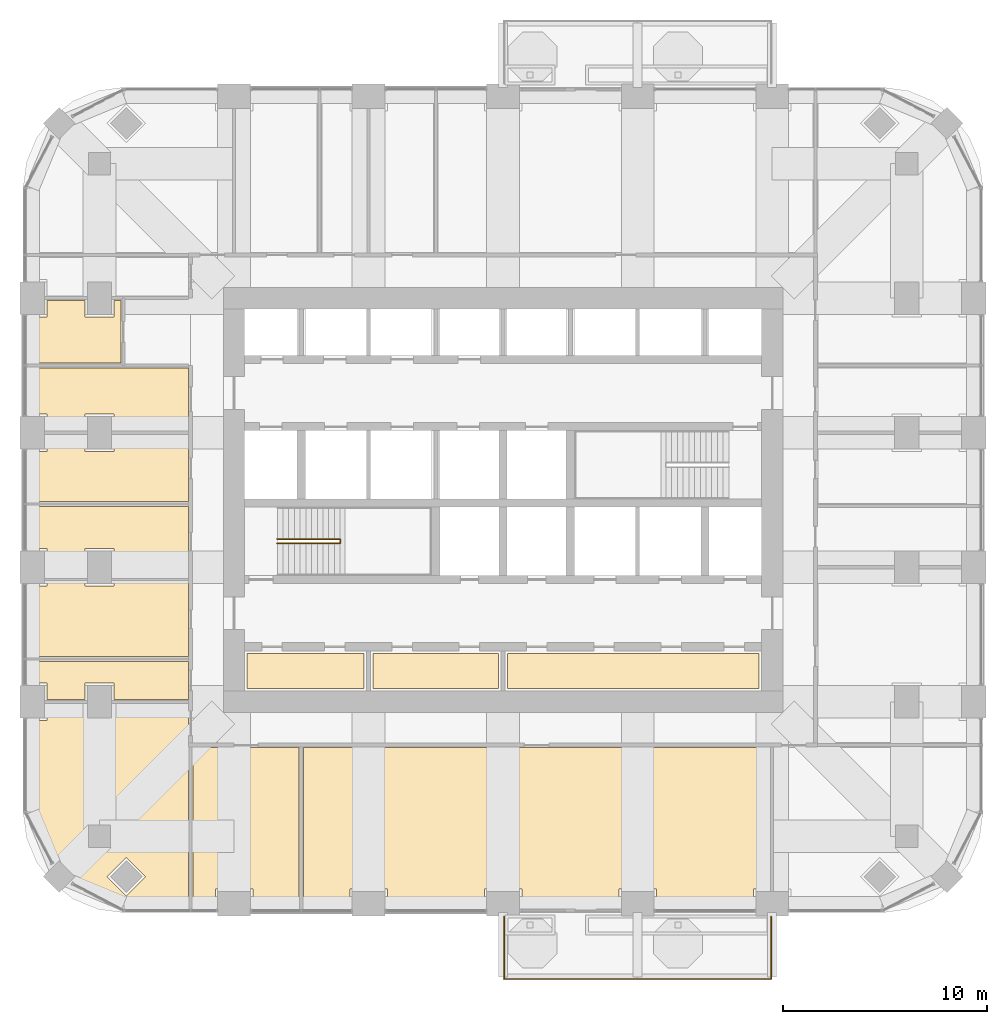
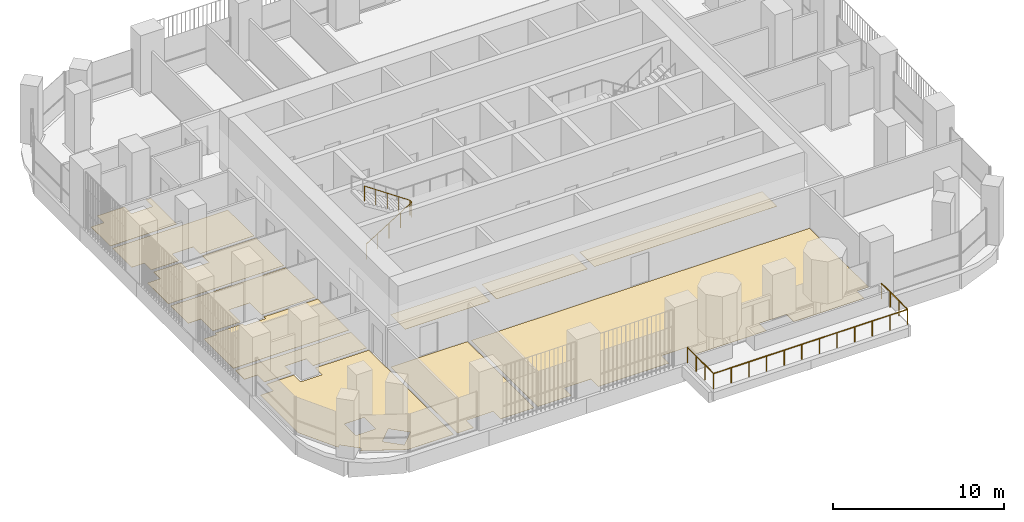
# One storey, part 16 of 19: 12 coverings, 2 railings.
"""IFC4 building model written with IfcOpenShell, lengths in metres."""

from ifc_helpers import new_model, si_unit, direction, frame, origin, place, context, subcontext, project, spatial, polyline, outline, extrude, material, layer, layer_set, type_object, element, save


model = new_model("IFC4")

# Units and contexts
model_context = context("Model", 3, precision=1e-05, world=origin(), true_north=direction((0.0, 1.0)))
body_context = subcontext(model_context, "Body", "Model", "MODEL_VIEW")
ifc_project = project(units=[si_unit("LENGTHUNIT", "METRE"), si_unit("AREAUNIT", "SQUARE_METRE"), si_unit("VOLUMEUNIT", "CUBIC_METRE"), si_unit("PLANEANGLEUNIT", "RADIAN"), si_unit("MASSUNIT", "GRAM", prefix="KILO")], contexts=[model_context])

# Site, building, storey
site_placement = place(None, origin())
site = spatial("IfcSite", under=ifc_project, at=site_placement, CompositionType="ELEMENT")
building_placement = place(site_placement, origin())
building = spatial("IfcBuilding", under=site, at=building_placement, Name="Cobogo Forest Laboratory Tower", CompositionType="ELEMENT")
storey_placement = place(building_placement, frame((0.0, 0.0, 206.10009765625)))
storey = spatial("IfcBuildingStorey", under=building, at=storey_placement, Name="L47", CompositionType="ELEMENT", Elevation=206.10009765625)

# Railing
ifc_material_1 = material(Name="Laminated glass balustrade", Category="glass")
railing_type_1 = type_object("IfcRailingType", Name="BG1 glass balustrade 1100", PredefinedType="GUARDRAIL", material=ifc_material_1)
railing_1_placement = place(storey_placement, frame((26.449951171875, 2.64990234375, 0.0)))
element("IfcRailing", 1, at=railing_1_placement, inside=storey, type_object=railing_type_1, Name="Balcony balustrade BAL-S1 L47", PredefinedType="GUARDRAIL", context=body_context, shape_type="SweptSolid", body=[
    extrude(outline(polyline([(0.022216796875, 0.00927734375), (0.00927734375, 0.022216796875), (-0.00927734375, 0.022216796875), (-0.022216796875, 0.00927734375), (-0.022216796875, -0.00927734375), (-0.00927734375, -0.022216796875), (0.00927734375, -0.022216796875), (0.022216796875, -0.00927734375), (0.022216796875, 0.00927734375)])), frame((0.0, 0.0, 1.077880859375), z_axis=(0.0, -1.0, 0.0), x_axis=(1.0, 0.0, 0.0)), (0.0, 0.0, 1.0), 3.0498046875),
    extrude(outline(polyline([(0.022216796875, 0.00927734375), (0.00927734375, 0.022216796875), (-0.00927734375, 0.022216796875), (-0.022216796875, 0.00927734375), (-0.022216796875, -0.00927734375), (-0.00927734375, -0.022216796875), (0.00927734375, -0.022216796875), (0.022216796875, -0.00927734375), (0.022216796875, 0.00927734375)])), frame((0.0, -3.0498046875, 1.077880859375), z_axis=(1.0, 0.0, 0.0), x_axis=(0.0, 1.0, 0.0)), (0.0, 0.0, 1.0), 13.10009765625),
    extrude(outline(polyline([(0.022216796875, 0.00927734375), (0.00927734375, 0.022216796875), (-0.00927734375, 0.022216796875), (-0.022216796875, 0.00927734375), (-0.022216796875, -0.00927734375), (-0.00927734375, -0.022216796875), (0.00927734375, -0.022216796875), (0.022216796875, -0.00927734375), (0.022216796875, 0.00927734375)])), frame((13.10009765625, -3.0498046875, 1.077880859375), z_axis=(0.0, 1.0, 0.0), x_axis=(-1.0, 0.0, 0.0)), (0.0, 0.0, 1.0), 3.0498046875),
    extrude(outline(polyline([(0.019287109375, 0.008056640625), (0.008056640625, 0.019287109375), (-0.008056640625, 0.019287109375), (-0.019287109375, 0.008056640625), (-0.019287109375, -0.008056640625), (-0.008056640625, -0.019287109375), (0.008056640625, -0.019287109375), (0.019287109375, -0.008056640625), (0.019287109375, 0.008056640625)])), origin(), (0.0, 0.0, 1.0), 1.077880859375),
    extrude(outline(polyline([(0.019287109375, 0.008056640625), (0.008056640625, 0.019287109375), (-0.008056640625, 0.019287109375), (-0.019287109375, 0.008056640625), (-0.019287109375, -0.008056640625), (-0.008056640625, -0.019287109375), (0.008056640625, -0.019287109375), (0.019287109375, -0.008056640625), (0.019287109375, 0.008056640625)])), frame((0.0, -1.0166015625, 0.0)), (0.0, 0.0, 1.0), 1.077880859375),
    extrude(outline(polyline([(0.019287109375, 0.008056640625), (0.008056640625, 0.019287109375), (-0.008056640625, 0.019287109375), (-0.019287109375, 0.008056640625), (-0.019287109375, -0.008056640625), (-0.008056640625, -0.019287109375), (0.008056640625, -0.019287109375), (0.019287109375, -0.008056640625), (0.019287109375, 0.008056640625)])), frame((0.0, -2.033203125, 0.0)), (0.0, 0.0, 1.0), 1.077880859375),
    extrude(outline(polyline([(0.019287109375, 0.008056640625), (0.008056640625, 0.019287109375), (-0.008056640625, 0.019287109375), (-0.019287109375, 0.008056640625), (-0.019287109375, -0.008056640625), (-0.008056640625, -0.019287109375), (0.008056640625, -0.019287109375), (0.019287109375, -0.008056640625), (0.019287109375, 0.008056640625)])), frame((0.0, -3.0498046875, 0.0)), (0.0, 0.0, 1.0), 1.077880859375),
    extrude(outline(polyline([(0.019287109375, 0.008056640625), (0.008056640625, 0.019287109375), (-0.008056640625, 0.019287109375), (-0.019287109375, 0.008056640625), (-0.019287109375, -0.008056640625), (-0.008056640625, -0.019287109375), (0.008056640625, -0.019287109375), (0.019287109375, -0.008056640625), (0.019287109375, 0.008056640625)])), frame((1.19091796875, -3.0498046875, 0.0)), (0.0, 0.0, 1.0), 1.077880859375),
    extrude(outline(polyline([(0.019287109375, 0.008056640625), (0.008056640625, 0.019287109375), (-0.008056640625, 0.019287109375), (-0.019287109375, 0.008056640625), (-0.019287109375, -0.008056640625), (-0.008056640625, -0.019287109375), (0.008056640625, -0.019287109375), (0.019287109375, -0.008056640625), (0.019287109375, 0.008056640625)])), frame((2.3818359375, -3.0498046875, 0.0)), (0.0, 0.0, 1.0), 1.077880859375),
    extrude(outline(polyline([(0.019287109375, 0.008056640625), (0.008056640625, 0.019287109375), (-0.008056640625, 0.019287109375), (-0.019287109375, 0.008056640625), (-0.019287109375, -0.008056640625), (-0.008056640625, -0.019287109375), (0.008056640625, -0.019287109375), (0.019287109375, -0.008056640625), (0.019287109375, 0.008056640625)])), frame((3.57275390625, -3.0498046875, 0.0)), (0.0, 0.0, 1.0), 1.077880859375),
    extrude(outline(polyline([(0.019287109375, 0.008056640625), (0.008056640625, 0.019287109375), (-0.008056640625, 0.019287109375), (-0.019287109375, 0.008056640625), (-0.019287109375, -0.008056640625), (-0.008056640625, -0.019287109375), (0.008056640625, -0.019287109375), (0.019287109375, -0.008056640625), (0.019287109375, 0.008056640625)])), frame((4.763671875, -3.0498046875, 0.0)), (0.0, 0.0, 1.0), 1.077880859375),
    extrude(outline(polyline([(0.019287109375, 0.008056640625), (0.008056640625, 0.019287109375), (-0.008056640625, 0.019287109375), (-0.019287109375, 0.008056640625), (-0.019287109375, -0.008056640625), (-0.008056640625, -0.019287109375), (0.008056640625, -0.019287109375), (0.019287109375, -0.008056640625), (0.019287109375, 0.008056640625)])), frame((5.95458984375, -3.0498046875, 0.0)), (0.0, 0.0, 1.0), 1.077880859375),
    extrude(outline(polyline([(0.019287109375, 0.008056640625), (0.008056640625, 0.019287109375), (-0.008056640625, 0.019287109375), (-0.019287109375, 0.008056640625), (-0.019287109375, -0.008056640625), (-0.008056640625, -0.019287109375), (0.008056640625, -0.019287109375), (0.019287109375, -0.008056640625), (0.019287109375, 0.008056640625)])), frame((7.1455078125, -3.0498046875, 0.0)), (0.0, 0.0, 1.0), 1.077880859375),
    extrude(outline(polyline([(0.019287109375, 0.008056640625), (0.008056640625, 0.019287109375), (-0.008056640625, 0.019287109375), (-0.019287109375, 0.008056640625), (-0.019287109375, -0.008056640625), (-0.008056640625, -0.019287109375), (0.008056640625, -0.019287109375), (0.019287109375, -0.008056640625), (0.019287109375, 0.008056640625)])), frame((8.33642578125, -3.0498046875, 0.0)), (0.0, 0.0, 1.0), 1.077880859375),
    extrude(outline(polyline([(0.019287109375, 0.008056640625), (0.008056640625, 0.019287109375), (-0.008056640625, 0.019287109375), (-0.019287109375, 0.008056640625), (-0.019287109375, -0.008056640625), (-0.008056640625, -0.019287109375), (0.008056640625, -0.019287109375), (0.019287109375, -0.008056640625), (0.019287109375, 0.008056640625)])), frame((9.52734375, -3.0498046875, 0.0)), (0.0, 0.0, 1.0), 1.077880859375),
    extrude(outline(polyline([(0.019287109375, 0.008056640625), (0.008056640625, 0.019287109375), (-0.008056640625, 0.019287109375), (-0.019287109375, 0.008056640625), (-0.019287109375, -0.008056640625), (-0.008056640625, -0.019287109375), (0.008056640625, -0.019287109375), (0.019287109375, -0.008056640625), (0.019287109375, 0.008056640625)])), frame((10.71826171875, -3.0498046875, 0.0)), (0.0, 0.0, 1.0), 1.077880859375),
    extrude(outline(polyline([(0.019287109375, 0.008056640625), (0.008056640625, 0.019287109375), (-0.008056640625, 0.019287109375), (-0.019287109375, 0.008056640625), (-0.019287109375, -0.008056640625), (-0.008056640625, -0.019287109375), (0.008056640625, -0.019287109375), (0.019287109375, -0.008056640625), (0.019287109375, 0.008056640625)])), frame((11.9091796875, -3.0498046875, 0.0)), (0.0, 0.0, 1.0), 1.077880859375),
    extrude(outline(polyline([(0.019287109375, 0.008056640625), (0.008056640625, 0.019287109375), (-0.008056640625, 0.019287109375), (-0.019287109375, 0.008056640625), (-0.019287109375, -0.008056640625), (-0.008056640625, -0.019287109375), (0.008056640625, -0.019287109375), (0.019287109375, -0.008056640625), (0.019287109375, 0.008056640625)])), frame((13.10009765625, -3.0498046875, 0.0)), (0.0, 0.0, 1.0), 1.077880859375),
    extrude(outline(polyline([(0.019287109375, 0.008056640625), (0.008056640625, 0.019287109375), (-0.008056640625, 0.019287109375), (-0.019287109375, 0.008056640625), (-0.019287109375, -0.008056640625), (-0.008056640625, -0.019287109375), (0.008056640625, -0.019287109375), (0.019287109375, -0.008056640625), (0.019287109375, 0.008056640625)])), frame((13.10009765625, -2.033203125, 0.0)), (0.0, 0.0, 1.0), 1.077880859375),
    extrude(outline(polyline([(0.019287109375, 0.008056640625), (0.008056640625, 0.019287109375), (-0.008056640625, 0.019287109375), (-0.019287109375, 0.008056640625), (-0.019287109375, -0.008056640625), (-0.008056640625, -0.019287109375), (0.008056640625, -0.019287109375), (0.019287109375, -0.008056640625), (0.019287109375, 0.008056640625)])), frame((13.10009765625, -1.0166015625, 0.0)), (0.0, 0.0, 1.0), 1.077880859375),
    extrude(outline(polyline([(0.019287109375, 0.008056640625), (0.008056640625, 0.019287109375), (-0.008056640625, 0.019287109375), (-0.019287109375, 0.008056640625), (-0.019287109375, -0.008056640625), (-0.008056640625, -0.019287109375), (0.008056640625, -0.019287109375), (0.019287109375, -0.008056640625), (0.019287109375, 0.008056640625)])), frame((13.10009765625, 0.0, 0.0)), (0.0, 0.0, 1.0), 1.077880859375),
])

# Coverings
ifc_material_2 = material(Name="Carpet tile on raised access floor", Category="flooring")
ifc_layer_1 = layer(ifc_material_2, 0.008056640625)
ifc_layer_set_1 = layer_set([ifc_layer_1], Name="CT1 carpet tile floor 8")
covering_type_1 = type_object("IfcCoveringType", Name="CT1 carpet tile floor 8", PredefinedType="FLOORING", material=ifc_layer_set_1)
covering_1_placement = place(storey_placement, origin())
element("IfcCovering", 2, at=covering_1_placement, inside=storey, type_object=covering_type_1, Name="Carpet floor L47-20", PredefinedType="FLOORING", context=body_context, shape_type="SweptSolid", body=[
    extrude(outline(polyline([(7.655029296875, 29.820068359375), (3.14990234375, 29.820068359375), (3.14990234375, 32.080078125), (4.02001953125, 32.080078125), (4.02001953125, 32.8798828125), (5.8798828125, 32.8798828125), (5.8798828125, 32.080078125), (7.320068359375, 32.080078125), (7.320068359375, 32.8798828125), (7.655029296875, 32.8798828125), (7.655029296875, 29.820068359375)])), origin(), (0.0, 0.0, 1.0), 0.0078125),
])
covering_2_placement = place(storey_placement, origin())
element("IfcCovering", 3, at=covering_2_placement, inside=storey, type_object=covering_type_1, Name="Carpet floor L47-30", PredefinedType="FLOORING", context=body_context, shape_type="SweptSolid", body=[
    extrude(outline(polyline([(26.179931640625, 13.844970703125), (20.02001953125, 13.844970703125), (20.02001953125, 15.580078125), (26.179931640625, 15.580078125), (26.179931640625, 13.844970703125)])), origin(), (0.0, 0.0, 1.0), 0.0078125),
])
covering_3_placement = place(storey_placement, origin())
element("IfcCovering", 4, at=covering_3_placement, inside=storey, type_object=covering_type_1, Name="Carpet floor L47-31", PredefinedType="FLOORING", context=body_context, shape_type="SweptSolid", body=[
    extrude(outline(polyline([(38.955078125, 13.844970703125), (26.6201171875, 13.844970703125), (26.6201171875, 15.580078125), (38.955078125, 15.580078125), (38.955078125, 13.844970703125)])), origin(), (0.0, 0.0, 1.0), 0.0078125),
])

# Railing
ifc_material_3 = material(Name="Steel balustrade", Category="steel")
railing_type_2 = type_object("IfcRailingType", Name="GR stair guard 1100", PredefinedType="GUARDRAIL", material=ifc_material_3)
railing_2_placement = place(storey_placement, frame((15.324951171875, 20.969970703125, 0.1748046875)))
element("IfcRailing", 5, at=railing_2_placement, inside=storey, type_object=railing_type_2, Name="Stair guard ST1 L47", PredefinedType="GUARDRAIL", context=body_context, shape_type="SweptSolid", body=[
    extrude(outline(polyline([(0.022216796875, 0.00927734375), (0.00927734375, 0.022216796875), (-0.00927734375, 0.022216796875), (-0.022216796875, 0.00927734375), (-0.022216796875, -0.00927734375), (-0.00927734375, -0.022216796875), (0.00927734375, -0.022216796875), (0.022216796875, -0.00927734375), (0.022216796875, 0.00927734375)])), frame((0.0, 0.0, 1.077880859375), z_axis=(0.847998304005, 0.0, 0.529998940003), x_axis=(0.0, 1.0, 0.0)), (0.0, 0.0, 1.0), 3.632080078125),
    extrude(outline(polyline([(0.022216796875, 0.00927734375), (0.00927734375, 0.022216796875), (-0.00927734375, 0.022216796875), (-0.022216796875, 0.00927734375), (-0.022216796875, -0.00927734375), (-0.00927734375, -0.022216796875), (0.00927734375, -0.022216796875), (0.022216796875, -0.00927734375), (0.022216796875, 0.00927734375)])), frame((3.080078125, 0.0, 3.0029296875), z_axis=(0.0, 1.0, 0.0), x_axis=(-1.0, 0.0, 0.0)), (0.0, 0.0, 1.0), 0.2099609375),
    extrude(outline(polyline([(0.022216796875, 0.00927734375), (0.00927734375, 0.022216796875), (-0.00927734375, 0.022216796875), (-0.022216796875, 0.00927734375), (-0.022216796875, -0.00927734375), (-0.00927734375, -0.022216796875), (0.00927734375, -0.022216796875), (0.022216796875, -0.00927734375), (0.022216796875, 0.00927734375)])), frame((3.080078125, 0.2099609375, 3.0029296875), z_axis=(-0.826221800596, 0.0, 0.563344953133), x_axis=(0.0, -1.0, 0.0)), (0.0, 0.0, 1.0), 3.72802734375),
    extrude(outline(polyline([(0.019287109375, 0.008056640625), (0.008056640625, 0.019287109375), (-0.008056640625, 0.019287109375), (-0.019287109375, 0.008056640625), (-0.019287109375, -0.008056640625), (-0.008056640625, -0.019287109375), (0.008056640625, -0.019287109375), (0.019287109375, -0.008056640625), (0.019287109375, 0.008056640625)])), origin(), (0.0, 0.0, 1.0), 1.077880859375),
    extrude(outline(polyline([(0.019287109375, 0.008056640625), (0.008056640625, 0.019287109375), (-0.008056640625, 0.019287109375), (-0.019287109375, 0.008056640625), (-0.019287109375, -0.008056640625), (-0.008056640625, -0.019287109375), (0.008056640625, -0.019287109375), (0.019287109375, -0.008056640625), (0.019287109375, 0.008056640625)])), frame((0.77001953125, 0.0, 0.481201171875)), (0.0, 0.0, 1.0), 1.077880859375),
    extrude(outline(polyline([(0.019287109375, 0.008056640625), (0.008056640625, 0.019287109375), (-0.008056640625, 0.019287109375), (-0.019287109375, 0.008056640625), (-0.019287109375, -0.008056640625), (-0.008056640625, -0.019287109375), (0.008056640625, -0.019287109375), (0.019287109375, -0.008056640625), (0.019287109375, 0.008056640625)])), frame((1.5400390625, 0.0, 0.96240234375)), (0.0, 0.0, 1.0), 1.077880859375),
    extrude(outline(polyline([(0.019287109375, 0.008056640625), (0.008056640625, 0.019287109375), (-0.008056640625, 0.019287109375), (-0.019287109375, 0.008056640625), (-0.019287109375, -0.008056640625), (-0.008056640625, -0.019287109375), (0.008056640625, -0.019287109375), (0.019287109375, -0.008056640625), (0.019287109375, 0.008056640625)])), frame((2.31005859375, 0.0, 1.44384765625)), (0.0, 0.0, 1.0), 1.077880859375),
    extrude(outline(polyline([(0.019287109375, 0.008056640625), (0.008056640625, 0.019287109375), (-0.008056640625, 0.019287109375), (-0.019287109375, 0.008056640625), (-0.019287109375, -0.008056640625), (-0.008056640625, -0.019287109375), (0.008056640625, -0.019287109375), (0.019287109375, -0.008056640625), (0.019287109375, 0.008056640625)])), frame((3.080078125, 0.0, 1.925048828125)), (0.0, 0.0, 1.0), 1.077880859375),
    extrude(outline(polyline([(0.019287109375, 0.008056640625), (0.008056640625, 0.019287109375), (-0.008056640625, 0.019287109375), (-0.019287109375, 0.008056640625), (-0.019287109375, -0.008056640625), (-0.008056640625, -0.019287109375), (0.008056640625, -0.019287109375), (0.019287109375, -0.008056640625), (0.019287109375, 0.008056640625)])), frame((3.080078125, 0.2099609375, 1.925048828125)), (0.0, 0.0, 1.0), 1.077880859375),
    extrude(outline(polyline([(0.019287109375, 0.008056640625), (0.008056640625, 0.019287109375), (-0.008056640625, 0.019287109375), (-0.019287109375, 0.008056640625), (-0.019287109375, -0.008056640625), (-0.008056640625, -0.019287109375), (0.008056640625, -0.019287109375), (0.019287109375, -0.008056640625), (0.019287109375, 0.008056640625)])), frame((2.31005859375, 0.2099609375, 2.4501953125)), (0.0, 0.0, 1.0), 1.077880859375),
    extrude(outline(polyline([(0.019287109375, 0.008056640625), (0.008056640625, 0.019287109375), (-0.008056640625, 0.019287109375), (-0.019287109375, 0.008056640625), (-0.019287109375, -0.008056640625), (-0.008056640625, -0.019287109375), (0.008056640625, -0.019287109375), (0.019287109375, -0.008056640625), (0.019287109375, 0.008056640625)])), frame((1.5400390625, 0.2099609375, 2.97509765625)), (0.0, 0.0, 1.0), 1.077880859375),
    extrude(outline(polyline([(0.019287109375, 0.008056640625), (0.008056640625, 0.019287109375), (-0.008056640625, 0.019287109375), (-0.019287109375, 0.008056640625), (-0.019287109375, -0.008056640625), (-0.008056640625, -0.019287109375), (0.008056640625, -0.019287109375), (0.019287109375, -0.008056640625), (0.019287109375, 0.008056640625)])), frame((0.77001953125, 0.2099609375, 3.5)), (0.0, 0.0, 1.0), 1.077880859375),
    extrude(outline(polyline([(0.019287109375, 0.008056640625), (0.008056640625, 0.019287109375), (-0.008056640625, 0.019287109375), (-0.019287109375, 0.008056640625), (-0.019287109375, -0.008056640625), (-0.008056640625, -0.019287109375), (0.008056640625, -0.019287109375), (0.019287109375, -0.008056640625), (0.019287109375, 0.008056640625)])), frame((0.0, 0.2099609375, 4.025146484375)), (0.0, 0.0, 1.0), 1.077880859375),
])

# Coverings
ifc_material_4 = material(Name="Static-dissipative vinyl flooring", Category="flooring")
ifc_layer_2 = layer(ifc_material_4, 0.0029296875)
ifc_layer_set_2 = layer_set([ifc_layer_2], Name="SD1 static-dissipative vinyl floor 3")
covering_type_2 = type_object("IfcCoveringType", Name="SD1 static-dissipative vinyl floor 3", PredefinedType="FLOORING", material=ifc_layer_set_2)
covering_4_placement = place(storey_placement, origin())
element("IfcCovering", 6, at=covering_4_placement, inside=storey, type_object=covering_type_2, Name="Static-dissipative floor L47-01", PredefinedType="FLOORING", context=body_context, shape_type="SweptSolid", body=[
    extrude(outline(polyline([(16.3798828125, 10.955078125), (16.3798828125, 3.14990234375), (14.1201171875, 3.14990234375), (14.1201171875, 4.02001953125), (12.280029296875, 4.02001953125), (12.280029296875, 3.14990234375), (11.195068359375, 3.14990234375), (11.195068359375, 10.955078125), (16.3798828125, 10.955078125)])), origin(), (0.0, 0.0, 1.0), 0.0029296875),
])
covering_5_placement = place(storey_placement, origin())
element("IfcCovering", 7, at=covering_5_placement, inside=storey, type_object=covering_type_2, Name="Static-dissipative floor L47-02", PredefinedType="FLOORING", context=body_context, shape_type="SweptSolid", body=[
    extrude(outline(polyline([(39.47998046875, 10.955078125), (39.47998046875, 4.02001953125), (38.679931640625, 4.02001953125), (38.679931640625, 3.14990234375), (33.919921875, 3.14990234375), (33.919921875, 4.02001953125), (32.080078125, 4.02001953125), (32.080078125, 3.14990234375), (27.320068359375, 3.14990234375), (27.320068359375, 4.02001953125), (25.47998046875, 4.02001953125), (25.47998046875, 3.14990234375), (20.719970703125, 3.14990234375), (20.719970703125, 4.02001953125), (18.8798828125, 4.02001953125), (18.8798828125, 3.14990234375), (16.6201171875, 3.14990234375), (16.6201171875, 10.955078125), (39.47998046875, 10.955078125)])), origin(), (0.0, 0.0, 1.0), 0.0029296875),
])
covering_6_placement = place(storey_placement, origin())
element("IfcCovering", 8, at=covering_6_placement, inside=storey, type_object=covering_type_2, Name="Static-dissipative floor L47-14", PredefinedType="FLOORING", context=body_context, shape_type="SweptSolid", body=[
    extrude(outline(polyline([(10.955078125, 3.14990234375), (7.84912109375, 3.14990234375), (5.387939453125, 4.440185546875), (5.5654296875, 4.617919921875), (4.617919921875, 5.5654296875), (4.440185546875, 5.387939453125), (3.14990234375, 7.84912109375), (3.14990234375, 12.280029296875), (4.02001953125, 12.280029296875), (4.02001953125, 13.080078125), (5.8798828125, 13.080078125), (5.8798828125, 12.280029296875), (7.320068359375, 12.280029296875), (7.320068359375, 13.080078125), (10.955078125, 13.080078125), (10.955078125, 3.14990234375)]), holes=[polyline([(7.91796875, 3.67041015625), (8.865478515625, 4.617919921875), (7.91796875, 5.5654296875), (6.970458984375, 4.617919921875), (7.91796875, 3.67041015625)]), polyline([(5.929931640625, 5.929931640625), (7.27001953125, 5.929931640625), (7.27001953125, 7.27001953125), (5.929931640625, 7.27001953125), (5.929931640625, 5.929931640625)])]), origin(), (0.0, 0.0, 1.0), 0.0029296875),
])
covering_7_placement = place(storey_placement, origin())
element("IfcCovering", 9, at=covering_7_placement, inside=storey, type_object=covering_type_2, Name="Static-dissipative floor L47-19", PredefinedType="FLOORING", context=body_context, shape_type="SweptSolid", body=[
    extrude(outline(polyline([(10.955078125, 26.52001953125), (7.320068359375, 26.52001953125), (7.320068359375, 27.320068359375), (5.8798828125, 27.320068359375), (5.8798828125, 26.52001953125), (4.02001953125, 26.52001953125), (4.02001953125, 27.320068359375), (3.14990234375, 27.320068359375), (3.14990234375, 29.580078125), (10.955078125, 29.580078125), (10.955078125, 26.52001953125)])), origin(), (0.0, 0.0, 1.0), 0.0029296875),
])
ifc_material_5 = material(Name="Ceramic floor tile", Category="flooring")
ifc_layer_3 = layer(ifc_material_5, 0.010009765625)
ifc_layer_set_3 = layer_set([ifc_layer_3], Name="TF1 ceramic tile floor 10")
covering_type_3 = type_object("IfcCoveringType", Name="TF1 ceramic tile floor 10", PredefinedType="FLOORING", material=ifc_layer_set_3)
covering_8_placement = place(storey_placement, origin())
element("IfcCovering", 10, at=covering_8_placement, inside=storey, type_object=covering_type_3, Name="Tile floor L47-15", PredefinedType="FLOORING", context=body_context, shape_type="SweptSolid", body=[
    extrude(outline(polyline([(10.955078125, 13.320068359375), (7.320068359375, 13.320068359375), (7.320068359375, 14.1201171875), (5.8798828125, 14.1201171875), (5.8798828125, 13.320068359375), (4.02001953125, 13.320068359375), (4.02001953125, 14.1201171875), (3.14990234375, 14.1201171875), (3.14990234375, 15.179931640625), (10.955078125, 15.179931640625), (10.955078125, 13.320068359375)])), origin(), (0.0, 0.0, 1.0), 0.010009765625),
])
covering_9_placement = place(storey_placement, origin())
element("IfcCovering", 11, at=covering_9_placement, inside=storey, type_object=covering_type_3, Name="Tile floor L47-16", PredefinedType="FLOORING", context=body_context, shape_type="SweptSolid", body=[
    extrude(outline(polyline([(10.955078125, 15.419921875), (3.14990234375, 15.419921875), (3.14990234375, 18.8798828125), (4.02001953125, 18.8798828125), (4.02001953125, 19.080078125), (5.8798828125, 19.080078125), (5.8798828125, 18.8798828125), (7.320068359375, 18.8798828125), (7.320068359375, 19.080078125), (10.955078125, 19.080078125), (10.955078125, 15.419921875)])), origin(), (0.0, 0.0, 1.0), 0.010009765625),
])
covering_10_placement = place(storey_placement, origin())
element("IfcCovering", 12, at=covering_10_placement, inside=storey, type_object=covering_type_3, Name="Tile floor L47-17", PredefinedType="FLOORING", context=body_context, shape_type="SweptSolid", body=[
    extrude(outline(polyline([(10.955078125, 19.320068359375), (7.320068359375, 19.320068359375), (7.320068359375, 20.719970703125), (5.8798828125, 20.719970703125), (5.8798828125, 19.320068359375), (4.02001953125, 19.320068359375), (4.02001953125, 20.719970703125), (3.14990234375, 20.719970703125), (3.14990234375, 22.780029296875), (10.955078125, 22.780029296875), (10.955078125, 19.320068359375)])), origin(), (0.0, 0.0, 1.0), 0.010009765625),
])
covering_11_placement = place(storey_placement, origin())
element("IfcCovering", 13, at=covering_11_placement, inside=storey, type_object=covering_type_3, Name="Tile floor L47-18", PredefinedType="FLOORING", context=body_context, shape_type="SweptSolid", body=[
    extrude(outline(polyline([(10.955078125, 23.02001953125), (3.14990234375, 23.02001953125), (3.14990234375, 25.47998046875), (4.02001953125, 25.47998046875), (4.02001953125, 26.280029296875), (5.8798828125, 26.280029296875), (5.8798828125, 25.47998046875), (7.320068359375, 25.47998046875), (7.320068359375, 26.280029296875), (10.955078125, 26.280029296875), (10.955078125, 23.02001953125)])), origin(), (0.0, 0.0, 1.0), 0.010009765625),
])
covering_12_placement = place(storey_placement, origin())
element("IfcCovering", 14, at=covering_12_placement, inside=storey, type_object=covering_type_3, Name="Tile floor L47-29", PredefinedType="FLOORING", context=body_context, shape_type="SweptSolid", body=[
    extrude(outline(polyline([(19.580078125, 13.844970703125), (13.844970703125, 13.844970703125), (13.844970703125, 15.580078125), (19.580078125, 15.580078125), (19.580078125, 13.844970703125)])), origin(), (0.0, 0.0, 1.0), 0.010009765625),
])

save(model, "model.ifc")
